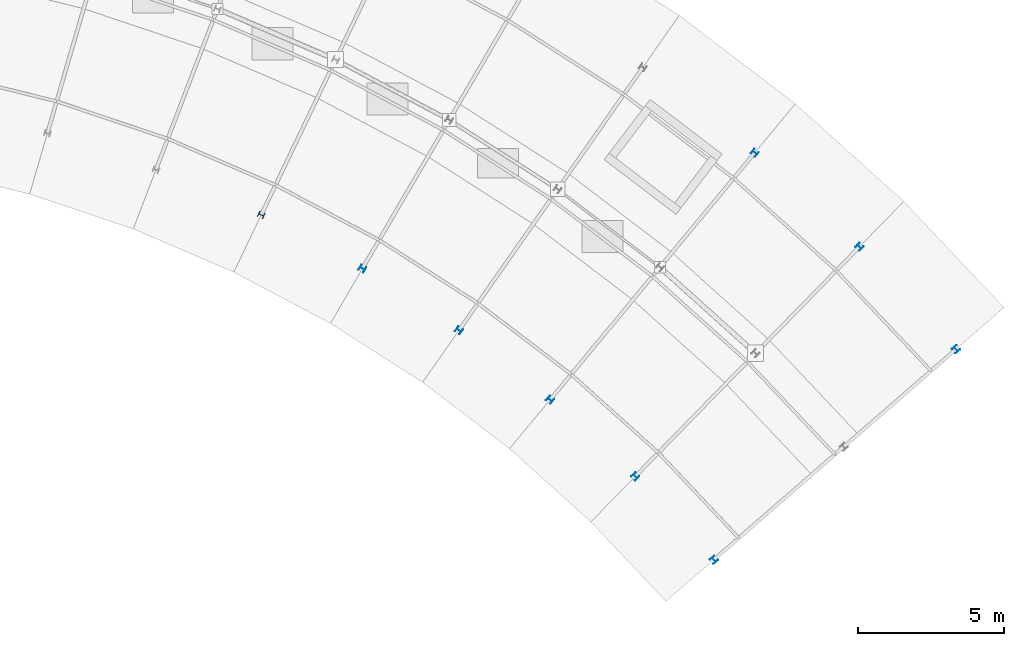
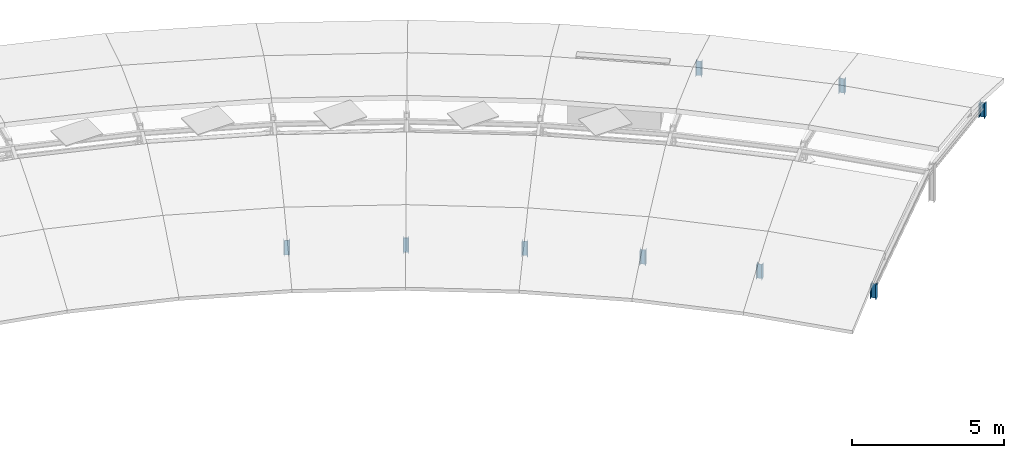
# One storey, part 5 of 20: 9 columns.
"""IFC4 building model written with IfcOpenShell, lengths in metres."""

from ifc_helpers import new_model, si_unit, direction, frame, origin, origin_2d, place, context, subcontext, project, spatial, i_section, extrude, material, material_profile, profile_set, type_object, element, save


model = new_model("IFC4")

# Units and contexts
model_context = context("Model", 3, precision=1e-05, world=origin(), true_north=direction((0.0, 1.0)))
body_context = subcontext(model_context, "Body", "Model", "MODEL_VIEW")
ifc_project = project(units=[si_unit("LENGTHUNIT", "METRE"), si_unit("AREAUNIT", "SQUARE_METRE"), si_unit("VOLUMEUNIT", "CUBIC_METRE"), si_unit("PLANEANGLEUNIT", "RADIAN"), si_unit("MASSUNIT", "GRAM", prefix="KILO")], contexts=[model_context])

# Site, building, storey
site_placement = place(None, origin())
site = spatial("IfcSite", under=ifc_project, at=site_placement, CompositionType="ELEMENT")
building_placement = place(site_placement, origin())
building = spatial("IfcBuilding", under=site, at=building_placement, Name="Zimvara Arc Housing Community", CompositionType="ELEMENT")
storey_placement = place(building_placement, frame((0.0, 0.0, 39.10009765625)))
storey = spatial("IfcBuildingStorey", under=building, at=storey_placement, Name="L12", CompositionType="ELEMENT", Elevation=39.10009765625)

# Columns
ifc_material = material(Name="Steel S355", Category="steel")
ifc_material_profile = material_profile(ifc_material, i_section(OverallWidth=0.199951171875, OverallDepth=0.199951171875, WebThickness=0.009033203125, FlangeThickness=0.014892578125, FilletRadius=0.01806640625, at=origin_2d()), Name="HEB 200")
ifc_profile_set = profile_set([ifc_material_profile], Name="Steel S355")
column_type = type_object("IfcColumnType", Name="COL-ST-HEB200", PredefinedType="COLUMN", material=ifc_profile_set)
for number, where, z_axis, x_axis, name in (
    (1, (65.70556640625, 87.7158203125, 0.0), (0.0, 0.0, 1.0), (0.432085748802, 0.901832526405, 0.0), "col:blkB:L12:ribpost1:g5"),
    (2, (69.16259765625, 85.88232421875, 0.0), (0.0, 0.0, 1.0), (0.504226211181, 0.863571611366, 0.0), "col:blkB:L12:ribpost1:g6"),
    (3, (72.458251953125, 83.77294921875, 0.0), (0.0, 0.0, 1.0), (0.573004420611, 0.819552276527, 0.0), "col:blkB:L12:ribpost1:g7"),
    (4, (75.571044921875, 81.401611328125, 0.0), (0.0, 0.0, 1.0), (0.637961754089, 0.770068049148, 0.0), "col:blkB:L12:ribpost1:g8"),
    (5, (82.563232421875, 89.841552734375, 0.0), (0.0, 0.0, 1.0), (0.637961754089, 0.770068049148, 0.0), "col:blkB:L12:ribpost3:g8"),
    (6, (78.47998046875, 78.784423828125, 0.0), (0.0, 0.0, 1.0), (0.698665066769, 0.715448897181, 0.0), "col:blkB:L12:ribpost1:g9"),
    (7, (86.137451171875, 86.625732421875, 0.0), (0.0, 0.0, 1.0), (0.698665066769, 0.715448897181, 0.0), "col:blkB:L12:ribpost3:g9"),
    (8, (81.165771484375, 75.938232421875, 0.0), (0.0, 0.0, 1.0), (0.754709580223, 0.656059028991, 0.0), "col:blkB:L12:ribpost1:g10"),
    (9, (89.437255859375, 83.128662109375, 0.0), (0.0, 0.0, 1.0), (0.754709580223, 0.656059028991, 0.0), "col:blkB:L12:ribpost3:g10"),
):
    element("IfcColumn", number, at=place(storey_placement, frame(where, z_axis=z_axis, x_axis=x_axis)), inside=storey, type_object=column_type, Name=name, PredefinedType="COLUMN", context=body_context, shape_type="SweptSolid", body=[
        extrude(i_section(OverallWidth=0.199951171875, OverallDepth=0.199951171875, WebThickness=0.009033203125, FlangeThickness=0.014892578125, FilletRadius=0.01806640625, at=origin_2d()), origin(), (0.0, 0.0, 1.0), 0.58251953125),
    ])

save(model, "model.ifc")
